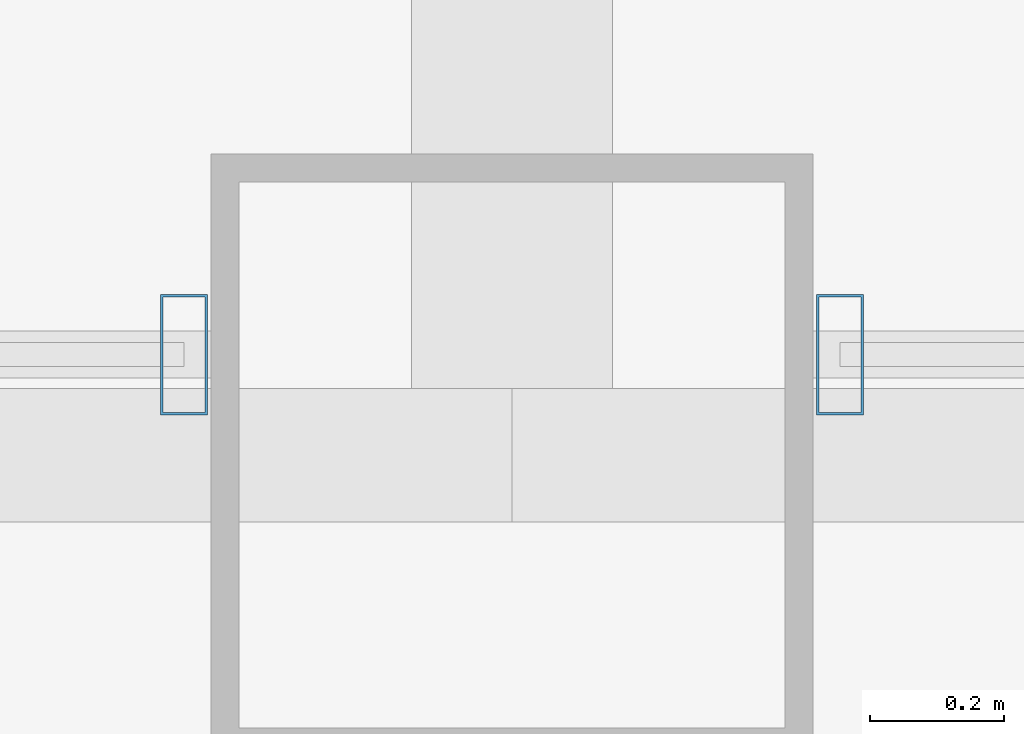
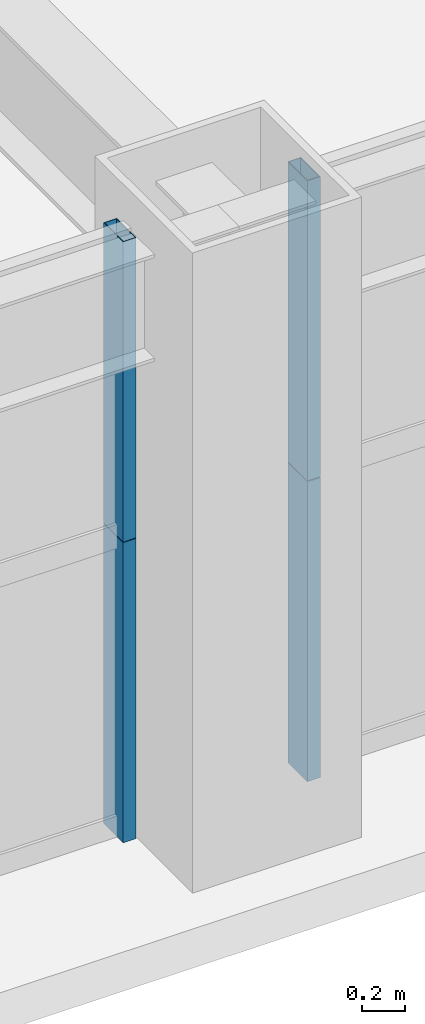
# One storey, part 9 of 38: 4 members, 2 elements without a shape of their own.
"""IFC4 building model written with IfcOpenShell, lengths in metres."""

from ifc_helpers import new_model, si_unit, direction, frame, origin, origin_2d, place, context, subcontext, project, spatial, hollow_rectangle, extrude, source, transform, mapped, material, layer, layer_set, material_profile, profile_set, type_object, element, aggregate, save


model = new_model("IFC4")

# Units and contexts
model_context = context("Model", 3, precision=1e-05, world=origin(), true_north=direction((0.0, 1.0)))
body_context = subcontext(model_context, "Body", "Model", "MODEL_VIEW")
ifc_project = project(units=[si_unit("LENGTHUNIT", "METRE"), si_unit("AREAUNIT", "SQUARE_METRE"), si_unit("VOLUMEUNIT", "CUBIC_METRE"), si_unit("PLANEANGLEUNIT", "RADIAN"), si_unit("MASSUNIT", "GRAM", prefix="KILO"), si_unit("THERMODYNAMICTEMPERATUREUNIT", "KELVIN"), si_unit("POWERUNIT", "WATT")], contexts=[model_context])

# Site, building, storey
site_placement = place(None, origin())
site = spatial("IfcSite", under=ifc_project, at=site_placement, CompositionType="ELEMENT")
building_placement = place(site_placement, origin())
building = spatial("IfcBuilding", under=site, at=building_placement, Name="Yuzanri Waterfront Tower", CompositionType="ELEMENT")
storey_placement = place(building_placement, frame((0.0, 0.0, 119.0)))
storey = spatial("IfcBuildingStorey", under=building, at=storey_placement, Name="L31", CompositionType="ELEMENT", Elevation=119.0)

# Curtain wall, members
ifc_material_1 = material(Name="Anodized Architectural Bronze", Category="metal")
ifc_layer = layer(ifc_material_1, 0.159912109375)
ifc_layer_set = layer_set([ifc_layer], Name="Anodized Architectural Bronze")
curtain_wall_type = type_object("IfcCurtainWallType", Name="Anodized Bronze Hotel Upper-Tier Solar-Control Unitized Curtain Wall 7800", PredefinedType="NOTDEFINED", material=ifc_layer_set)
curtain_wall_1_placement = place(storey_placement, origin())
curtain_wall_1 = element("IfcCurtainWall", 1, at=curtain_wall_1_placement, inside=storey, type_object=curtain_wall_type, Name="L31 Curtain Wall CW-L31-SL", PredefinedType="NOTDEFINED")
ifc_material_2 = material(Name="Anodized Architectural Bronze", Category="metal")
ifc_material_profile = material_profile(ifc_material_2, hollow_rectangle(XDim=0.070068359375, YDim=0.179931640625, WallThickness=0.00390625, at=origin_2d()), Name="CWM 70x180")
ifc_profile_set = profile_set([ifc_material_profile], Name="Anodized Architectural Bronze")
member_type = type_object("IfcMemberType", Name="Anodized Bronze Standard Curtain-Wall Mullion 70x180", PredefinedType="MULLION", material=ifc_profile_set)
shared_shape = source(origin(), body_context, "Body", "SweptSolid", [
    extrude(hollow_rectangle(XDim=0.070068359375, YDim=0.179931640625, WallThickness=0.00390625, at=origin_2d()), origin(), (0.0, 0.0, 1.0), 1.68798828125),
])
member_1_placement = place(storey_placement, frame((36.510009765625, 2.35009765625, 0.0), z_axis=(0.0, 0.0, 1.0), x_axis=(1.0, 0.0, 0.0)))
member_1 = element("IfcMember", 2, at=member_1_placement, type_object=member_type, Name="CW-L31-SL Lower Mullion 02", PredefinedType="MULLION", context=body_context, shape_type="MappedRepresentation", body=[
    mapped(shared_shape, transform((0.0, 0.0, 0.0), scale=1.0)),
])
member_2_placement = place(storey_placement, frame((36.510009765625, 2.35009765625, 1.69189453125), z_axis=(0.0, 0.0, 1.0), x_axis=(1.0, 0.0, 0.0)))
member_2 = element("IfcMember", 3, at=member_2_placement, type_object=member_type, Name="CW-L31-SL Upper Mullion 02", PredefinedType="MULLION", context=body_context, shape_type="MappedRepresentation", body=[
    mapped(shared_shape, transform((0.0, 0.0, 0.0), scale=1.0)),
])
aggregate(curtain_wall_1, [member_1, member_2])

curtain_wall_2_placement = place(storey_placement, origin())
curtain_wall_2 = element("IfcCurtainWall", 4, at=curtain_wall_2_placement, inside=storey, type_object=curtain_wall_type, Name="L31 Curtain Wall CW-L31-SR", PredefinedType="NOTDEFINED")
member_3_placement = place(storey_placement, frame((37.489990234375, 2.35009765625, 0.0), z_axis=(0.0, 0.0, 1.0), x_axis=(1.0, 0.0, 0.0)))
member_3 = element("IfcMember", 5, at=member_3_placement, type_object=member_type, Name="CW-L31-SR Lower Mullion 00", PredefinedType="MULLION", context=body_context, shape_type="MappedRepresentation", body=[
    mapped(shared_shape, transform((0.0, 0.0, 0.0), scale=1.0)),
])
member_4_placement = place(storey_placement, frame((37.489990234375, 2.35009765625, 1.69189453125), z_axis=(0.0, 0.0, 1.0), x_axis=(1.0, 0.0, 0.0)))
member_4 = element("IfcMember", 6, at=member_4_placement, type_object=member_type, Name="CW-L31-SR Upper Mullion 00", PredefinedType="MULLION", context=body_context, shape_type="MappedRepresentation", body=[
    mapped(shared_shape, transform((0.0, 0.0, 0.0), scale=1.0)),
])
aggregate(curtain_wall_2, [member_3, member_4])

save(model, "model.ifc")
